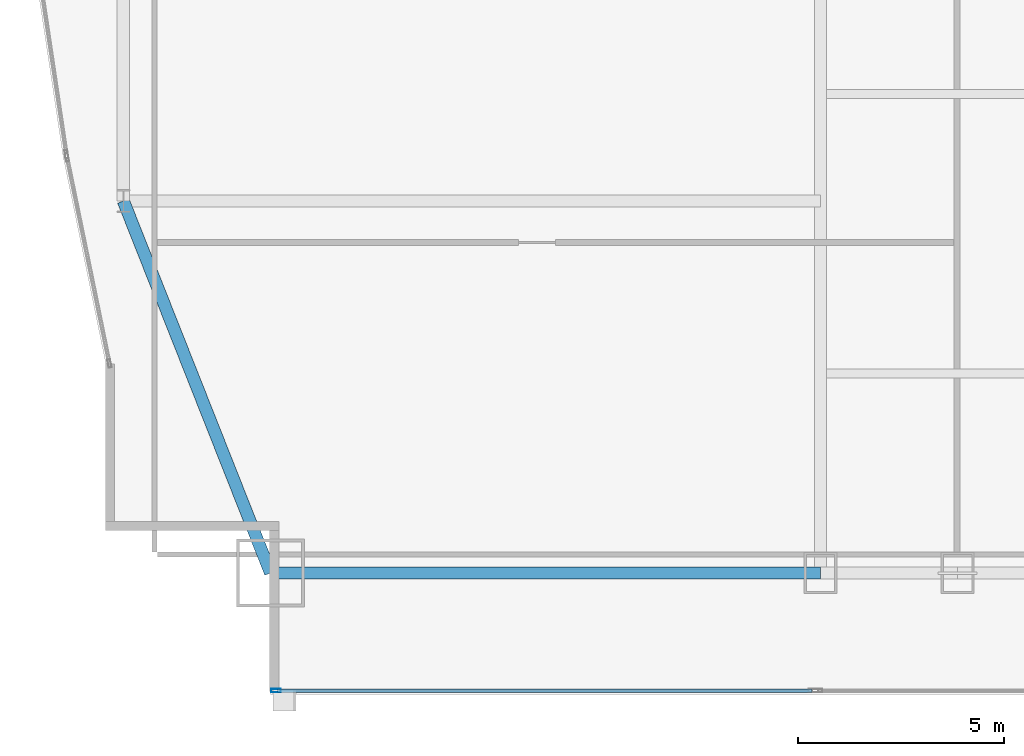
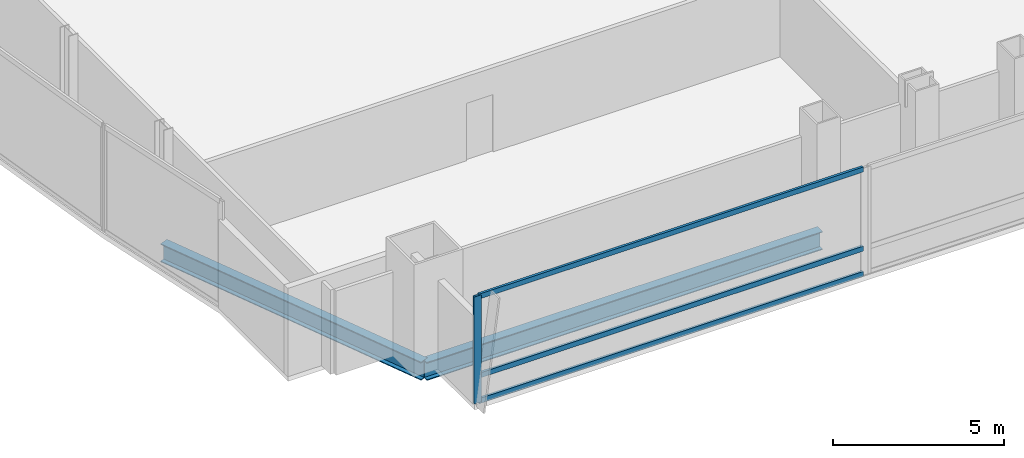
# One storey, part 5 of 36: 4 members, 2 beams, 1 element without a shape of its own.
"""IFC4 building model written with IfcOpenShell, lengths in metres."""

from ifc_helpers import new_model, si_unit, direction, frame, origin, origin_2d, place, context, subcontext, project, spatial, hollow_rectangle, i_section, extrude, material, material_profile, profile_set, type_object, element, aggregate, save


model = new_model("IFC4")

# Units and contexts
model_context = context("Model", 3, precision=1e-05, world=origin(), true_north=direction((0.0, 1.0)))
body_context = subcontext(model_context, "Body", "Model", "MODEL_VIEW")
ifc_project = project(units=[si_unit("LENGTHUNIT", "METRE"), si_unit("AREAUNIT", "SQUARE_METRE"), si_unit("VOLUMEUNIT", "CUBIC_METRE"), si_unit("PLANEANGLEUNIT", "RADIAN"), si_unit("MASSUNIT", "GRAM", prefix="KILO")], contexts=[model_context])

# Site, building, storey
site_placement = place(None, origin())
site = spatial("IfcSite", under=ifc_project, at=site_placement, CompositionType="ELEMENT")
building_placement = place(site_placement, origin())
building = spatial("IfcBuilding", under=site, at=building_placement, Name="Khoronbel Lancet Exchange", CompositionType="ELEMENT")
storey_placement = place(building_placement, frame((0.0, 0.0, 57.800048828125)))
storey = spatial("IfcBuildingStorey", under=building, at=storey_placement, Name="L13", CompositionType="ELEMENT", Elevation=57.800048828125)

# Beams
ifc_material_1 = material(Name="Steel S355", Category="steel")
ifc_material_profile_1 = material_profile(ifc_material_1, i_section(OverallWidth=0.300048828125, OverallDepth=0.64990234375, WebThickness=0.01611328125, FlangeThickness=0.031005859375, at=origin_2d()), Name="HEB 650")
ifc_profile_set_1 = profile_set([ifc_material_profile_1], Name="Steel S355")
beam_type = type_object("IfcBeamType", Name="BM-BSP1", PredefinedType="SPANDREL", material=ifc_profile_set_1)
beam_1_placement = place(storey_placement, frame((4.85009765625, 10.14990234375, -0.505126953125), z_axis=(1.0, 0.0, 0.0), x_axis=(0.0, 1.0, 0.0)))
element("IfcBeam", 1, at=beam_1_placement, inside=storey, type_object=beam_type, Name="Level L13 perimeter spandrel beam SP01", PredefinedType="SPANDREL", context=body_context, shape_type="SweptSolid", body=[
    extrude(i_section(OverallWidth=0.300048828125, OverallDepth=0.64990234375, WebThickness=0.01611328125, FlangeThickness=0.031005859375, at=origin_2d()), origin(), (0.0, 0.0, 1.0), 13.375),
])
beam_2_placement = place(storey_placement, frame((1.27001953125, 19.199951171875, -0.505126953125), z_axis=(0.367850095026, -0.92988510451, 0.0), x_axis=(0.92988510451, 0.367850095026, 0.0)))
element("IfcBeam", 2, at=beam_2_placement, inside=storey, type_object=beam_type, Name="Level L13 perimeter spandrel beam SP21", PredefinedType="SPANDREL", context=body_context, shape_type="SweptSolid", body=[
    extrude(i_section(OverallWidth=0.300048828125, OverallDepth=0.64990234375, WebThickness=0.01611328125, FlangeThickness=0.031005859375, at=origin_2d()), origin(), (0.0, 0.0, 1.0), 9.732421875),
])

# Curtain wall, members
ifc_material_2 = material(Name="Low-E Solar Control Insulating Glass", Category="glass")
curtain_wall_type = type_object("IfcCurtainWallType", Name="CW-1", PredefinedType="NOTDEFINED", material=ifc_material_2)
curtain_wall_placement = place(storey_placement, origin())
curtain_wall = element("IfcCurtainWall", 3, at=curtain_wall_placement, inside=storey, type_object=curtain_wall_type, Name="Unitised curtain wall CW-L13-SWV", PredefinedType="NOTDEFINED")
ifc_material_3 = material(Name="Bronze-Anodised Aluminium 6063-T6", Category="aluminium")
ifc_material_profile_2 = material_profile(ifc_material_3, hollow_rectangle(XDim=0.0849609375, YDim=0.239990234375, WallThickness=0.006103515625, at=origin_2d()), Name="ALU MULLION 85x240")
ifc_profile_set_2 = profile_set([ifc_material_profile_2], Name="Bronze-Anodised Aluminium 6063-T6")
member_type_1 = type_object("IfcMemberType", Name="MEM-CWM1", PredefinedType="MULLION", material=ifc_profile_set_2)
member_1_placement = place(storey_placement, frame((4.982421875, 7.2900390625, 0.0), z_axis=(0.0, 0.0, 1.0), x_axis=(0.0, 1.0, 0.0)))
member_1 = element("IfcMember", 4, at=member_1_placement, type_object=member_type_1, Name="CW1 mullion 1", PredefinedType="MULLION", context=body_context, shape_type="SweptSolid", body=[
    extrude(hollow_rectangle(XDim=0.0849609375, YDim=0.239990234375, WallThickness=0.006103515625, at=origin_2d()), origin(), (0.0, 0.0, 1.0), 3.820068359375),
])
ifc_material_profile_3 = material_profile(ifc_material_3, hollow_rectangle(XDim=0.0849609375, YDim=0.179931640625, WallThickness=0.0048828125, at=origin_2d()), Name="ALU TRANSOM 85x180")
ifc_profile_set_3 = profile_set([ifc_material_profile_3], Name="Bronze-Anodised Aluminium 6063-T6")
member_type_2 = type_object("IfcMemberType", Name="MEM-CWT1", PredefinedType="USERDEFINED", material=ifc_profile_set_3)
member_2_placement = place(storey_placement, frame((5.02490234375, 7.2900390625, 0.04248046875), z_axis=(1.0, 0.0, 0.0), x_axis=(0.0, 1.0, 0.0)))
member_2 = element("IfcMember", 5, at=member_2_placement, type_object=member_type_2, Name="CW1 transom 1.1", ObjectType="TRANSOM", PredefinedType="USERDEFINED", context=body_context, shape_type="SweptSolid", body=[
    extrude(hollow_rectangle(XDim=0.0849609375, YDim=0.179931640625, WallThickness=0.0048828125, at=origin_2d()), origin(), (0.0, 0.0, 1.0), 12.989990234375),
])
member_3_placement = place(storey_placement, frame((5.02490234375, 7.2900390625, 0.949951171875), z_axis=(1.0, 0.0, 0.0), x_axis=(0.0, 1.0, 0.0)))
member_3 = element("IfcMember", 6, at=member_3_placement, type_object=member_type_2, Name="CW1 transom 1.2", ObjectType="TRANSOM", PredefinedType="USERDEFINED", context=body_context, shape_type="SweptSolid", body=[
    extrude(hollow_rectangle(XDim=0.0849609375, YDim=0.179931640625, WallThickness=0.0048828125, at=origin_2d()), origin(), (0.0, 0.0, 1.0), 12.989990234375),
])
member_4_placement = place(storey_placement, frame((5.02490234375, 7.2900390625, 3.77734375), z_axis=(1.0, 0.0, 0.0), x_axis=(0.0, 1.0, 0.0)))
member_4 = element("IfcMember", 7, at=member_4_placement, type_object=member_type_2, Name="CW1 transom 1.3", ObjectType="TRANSOM", PredefinedType="USERDEFINED", context=body_context, shape_type="SweptSolid", body=[
    extrude(hollow_rectangle(XDim=0.0849609375, YDim=0.179931640625, WallThickness=0.0048828125, at=origin_2d()), origin(), (0.0, 0.0, 1.0), 12.989990234375),
])
aggregate(curtain_wall, [member_1, member_2, member_3, member_4])

save(model, "model.ifc")
